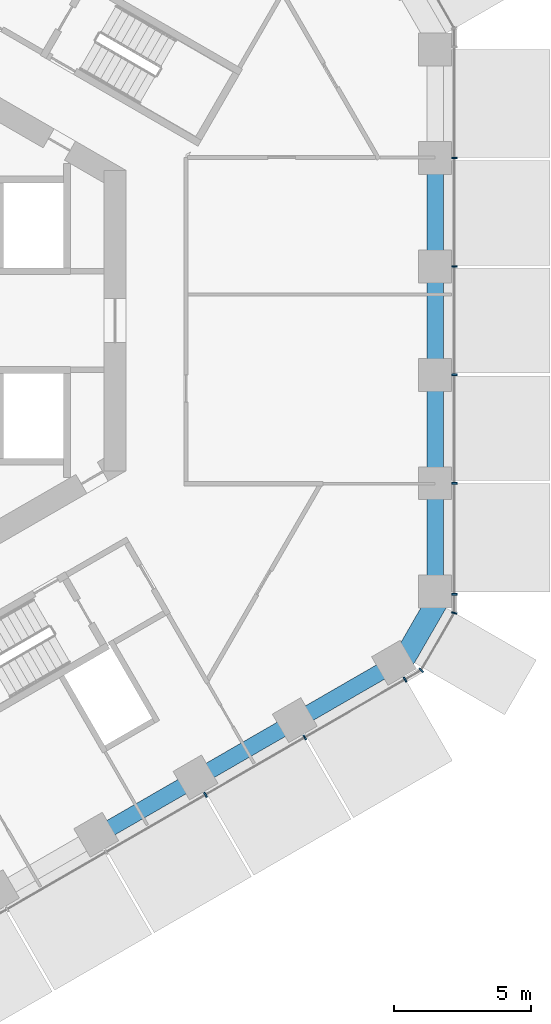
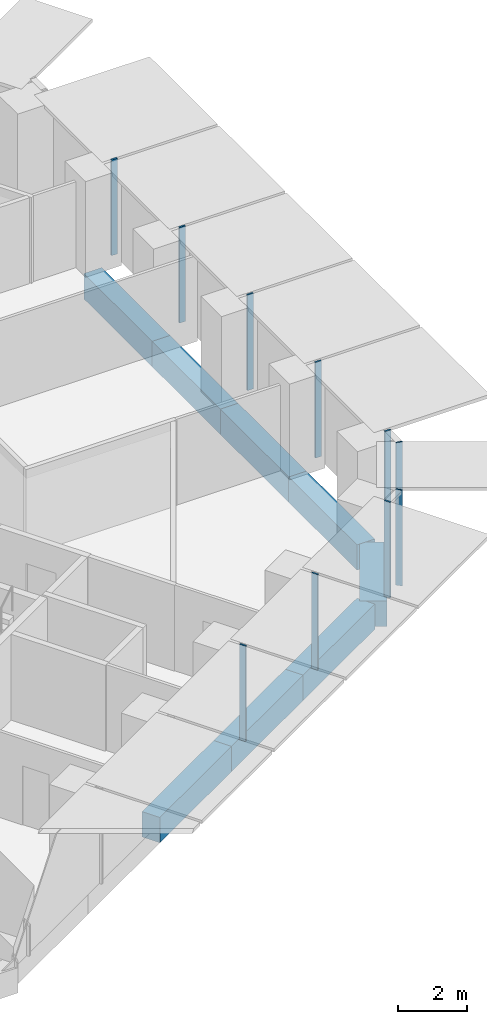
# One storey, part 4 of 19: 10 members, 8 beams, 3 elements without a shape of their own.
"""IFC4 building model written with IfcOpenShell, lengths in metres."""

from ifc_helpers import new_model, si_unit, direction, frame, origin, origin_2d, place, context, subcontext, project, spatial, rectangle, extrude, material, layer, layer_set, material_profile, profile_set, type_object, element, aggregate, save


model = new_model("IFC4")

# Units and contexts
model_context = context("Model", 3, precision=1e-05, world=origin(), true_north=direction((0.0, 1.0)))
body_context = subcontext(model_context, "Body", "Model", "MODEL_VIEW")
ifc_project = project(units=[si_unit("LENGTHUNIT", "METRE"), si_unit("AREAUNIT", "SQUARE_METRE"), si_unit("VOLUMEUNIT", "CUBIC_METRE"), si_unit("PLANEANGLEUNIT", "RADIAN"), si_unit("MASSUNIT", "GRAM", prefix="KILO")], contexts=[model_context])

# Site, building, storey
site_placement = place(None, origin())
site = spatial("IfcSite", under=ifc_project, at=site_placement, CompositionType="ELEMENT")
building_placement = place(site_placement, origin())
building = spatial("IfcBuilding", under=site, at=building_placement, Name="Ayvan Gate Tower", CompositionType="ELEMENT")
storey_placement = place(building_placement, frame((0.0, 0.0, 42.5)))
storey = spatial("IfcBuildingStorey", under=building, at=storey_placement, Name="L10", CompositionType="ELEMENT", Elevation=42.5)

# Beams
ifc_material_1 = material(Name="Concrete C40/50", Category="concrete")
ifc_material_profile_1 = material_profile(ifc_material_1, rectangle(XDim=0.800048828125, YDim=0.89990234375, at=origin_2d()), Name="RC 800x900")
ifc_profile_set_1 = profile_set([ifc_material_profile_1], Name="Concrete C40/50")
beam_type_1 = type_object("IfcBeamType", Name="Corner spandrel beam RC 800x900 C40/50", PredefinedType="BEAM", material=ifc_profile_set_1)
beam_placement = place(storey_placement, frame((19.47509765625, -12.6494140625, -0.800048828125), z_axis=(0.50002537861, 0.866010750942, 0.0), x_axis=(-0.866010750942, 0.50002537861, 0.0)))
element("IfcBeam", 1, at=beam_placement, inside=storey, type_object=beam_type_1, Name="SB-L10-36", PredefinedType="BEAM", context=body_context, shape_type="SweptSolid", body=[
    extrude(rectangle(XDim=0.800048828125, YDim=0.89990234375, at=origin_2d()), origin(), (0.0, 0.0, 1.0), 2.999755859375),
])
ifc_material_profile_2 = material_profile(ifc_material_1, rectangle(XDim=0.60009765625, YDim=0.89990234375, at=origin_2d()), Name="RC 600x900")
ifc_profile_set_2 = profile_set([ifc_material_profile_2], Name="Concrete C40/50")
beam_type_2 = type_object("IfcBeamType", Name="Spandrel beam RC 600x900 C40/50", PredefinedType="BEAM", material=ifc_profile_set_2)
for number, where, z_axis, x_axis, name in (
    (2, (20.78466796875, -9.94140625, -0.800048828125), (0.0, 1.0, 0.0), (-1.0, 0.0, 0.0), "SB-L10-1"),
    (3, (20.78466796875, -5.96484375, -0.800048828125), (0.0, 1.0, 0.0), (-1.0, 0.0, 0.0), "SB-L10-2"),
    (4, (20.78466796875, -1.98828125, -0.800048828125), (0.0, 1.0, 0.0), (-1.0, 0.0, 0.0), "SB-L10-3"),
    (5, (20.78466796875, 1.98828125, -0.800048828125), (0.0, 1.0, 0.0), (-1.0, 0.0, 0.0), "SB-L10-4"),
):
    element("IfcBeam", number, at=place(storey_placement, frame(where, z_axis=z_axis, x_axis=x_axis)), inside=storey, type_object=beam_type_2, Name=name, PredefinedType="BEAM", context=body_context, shape_type="SweptSolid", body=[
        extrude(rectangle(XDim=0.60009765625, YDim=0.89990234375, at=origin_2d()), origin(), (0.0, 0.0, 1.0), 3.9765625),
    ])
for number, where, z_axis, x_axis, name in (
    (6, (8.444091796875, -18.79833984375, -0.800048828125), (0.866009222318, 0.500028026075, 0.0), (-0.500028026075, 0.866009222318, 0.0), "SB-L10-33"),
    (7, (12.0576171875, -16.7119140625, -0.800048828125), (0.866034558547, 0.499984143151, 0.0), (-0.499984143151, 0.866034558547, 0.0), "SB-L10-34"),
    (8, (15.671142578125, -14.625732421875, -0.800048828125), (0.866034558547, 0.499984143151, 0.0), (-0.499984143151, 0.866034558547, 0.0), "SB-L10-35"),
):
    element("IfcBeam", number, at=place(storey_placement, frame(where, z_axis=z_axis, x_axis=x_axis)), inside=storey, type_object=beam_type_2, Name=name, PredefinedType="BEAM", context=body_context, shape_type="SweptSolid", body=[
        extrude(rectangle(XDim=0.60009765625, YDim=0.89990234375, at=origin_2d()), origin(), (0.0, 0.0, 1.0), 4.172607421875),
    ])

# Curtain wall, members
ifc_material_2 = material(Name="Bronze anodised aluminium", Category="aluminium")
ifc_layer_1 = layer(ifc_material_2, 0.199951171875)
ifc_layer_set_1 = layer_set([ifc_layer_1], Name="Bronze anodised aluminium")
curtain_wall_type_1 = type_object("IfcCurtainWallType", Name="Stick curtain wall CW-1", PredefinedType="NOTDEFINED", material=ifc_layer_set_1)
curtain_wall_1_placement = place(storey_placement, origin())
curtain_wall_1 = element("IfcCurtainWall", 9, at=curtain_wall_1_placement, inside=storey, type_object=curtain_wall_type_1, Name="Stick curtain wall CW-1 L10", PredefinedType="NOTDEFINED")
ifc_material_profile_3 = material_profile(ifc_material_2, rectangle(XDim=0.199951171875, YDim=0.06005859375, at=origin_2d()), Name="Stick curtain wall CW-1 mullion 200 x 60")
ifc_profile_set_3 = profile_set([ifc_material_profile_3], Name="Bronze anodised aluminium")
member_type_1 = type_object("IfcMemberType", Name="Stick curtain wall CW-1 mullion 200 x 60", PredefinedType="MULLION", material=ifc_profile_set_3)
member_1_placement = place(storey_placement, frame((12.4052734375, -17.303466796875, 0.0), z_axis=(0.0, 0.0, 1.0), x_axis=(0.5, -0.866025403784, 0.0)))
member_1 = element("IfcMember", 10, at=member_1_placement, type_object=member_type_1, Name="CW-1 mullion 4", PredefinedType="MULLION", context=body_context, shape_type="SweptSolid", body=[
    extrude(rectangle(XDim=0.199951171875, YDim=0.06005859375, at=origin_2d()), origin(), (0.0, 0.0, 1.0), 3.39990234375),
])
member_2_placement = place(storey_placement, frame((16.027099609375, -15.21240234375, 0.0), z_axis=(0.0, 0.0, 1.0), x_axis=(0.5, -0.866025403784, 0.0)))
member_2 = element("IfcMember", 11, at=member_2_placement, type_object=member_type_1, Name="CW-1 mullion 5", PredefinedType="MULLION", context=body_context, shape_type="SweptSolid", body=[
    extrude(rectangle(XDim=0.199951171875, YDim=0.06005859375, at=origin_2d()), origin(), (0.0, 0.0, 1.0), 3.39990234375),
])
member_3_placement = place(storey_placement, frame((19.6884765625, -13.0986328125, 0.0), z_axis=(0.0, 0.0, 1.0), x_axis=(0.5, -0.866025403784, 0.0)))
member_3 = element("IfcMember", 12, at=member_3_placement, type_object=member_type_1, Name="CW-1 mullion 6", PredefinedType="MULLION", context=body_context, shape_type="SweptSolid", body=[
    extrude(rectangle(XDim=0.199951171875, YDim=0.06005859375, at=origin_2d()), origin(), (0.0, 0.0, 1.0), 3.39990234375),
])
aggregate(curtain_wall_1, [member_1, member_2, member_3])

curtain_wall_2_placement = place(storey_placement, origin())
curtain_wall_2 = element("IfcCurtainWall", 13, at=curtain_wall_2_placement, inside=storey, type_object=curtain_wall_type_1, Name="Stick curtain wall CW-1 L10", PredefinedType="NOTDEFINED")
member_4_placement = place(storey_placement, frame((21.484619140625, -9.987548828125, 0.0), z_axis=(0.0, 0.0, 1.0), x_axis=(1.0, 0.0, 0.0)))
member_4 = element("IfcMember", 14, at=member_4_placement, type_object=member_type_1, Name="CW-1 mullion 1", PredefinedType="MULLION", context=body_context, shape_type="SweptSolid", body=[
    extrude(rectangle(XDim=0.199951171875, YDim=0.06005859375, at=origin_2d()), origin(), (0.0, 0.0, 1.0), 3.39990234375),
])
member_5_placement = place(storey_placement, frame((21.484619140625, -5.9345703125, 0.0), z_axis=(0.0, 0.0, 1.0), x_axis=(1.0, 0.0, 0.0)))
member_5 = element("IfcMember", 15, at=member_5_placement, type_object=member_type_1, Name="CW-1 mullion 2", PredefinedType="MULLION", context=body_context, shape_type="SweptSolid", body=[
    extrude(rectangle(XDim=0.199951171875, YDim=0.06005859375, at=origin_2d()), origin(), (0.0, 0.0, 1.0), 3.39990234375),
])
member_6_placement = place(storey_placement, frame((21.484619140625, -1.978515625, 0.0), z_axis=(0.0, 0.0, 1.0), x_axis=(1.0, 0.0, 0.0)))
member_6 = element("IfcMember", 16, at=member_6_placement, type_object=member_type_1, Name="CW-1 mullion 3", PredefinedType="MULLION", context=body_context, shape_type="SweptSolid", body=[
    extrude(rectangle(XDim=0.199951171875, YDim=0.06005859375, at=origin_2d()), origin(), (0.0, 0.0, 1.0), 3.39990234375),
])
member_7_placement = place(storey_placement, frame((21.484619140625, 1.978515625, 0.0), z_axis=(0.0, 0.0, 1.0), x_axis=(1.0, 0.0, 0.0)))
member_7 = element("IfcMember", 17, at=member_7_placement, type_object=member_type_1, Name="CW-1 mullion 4", PredefinedType="MULLION", context=body_context, shape_type="SweptSolid", body=[
    extrude(rectangle(XDim=0.199951171875, YDim=0.06005859375, at=origin_2d()), origin(), (0.0, 0.0, 1.0), 3.39990234375),
])
member_8_placement = place(storey_placement, frame((21.484619140625, 5.9345703125, 0.0), z_axis=(0.0, 0.0, 1.0), x_axis=(1.0, 0.0, 0.0)))
member_8 = element("IfcMember", 18, at=member_8_placement, type_object=member_type_1, Name="CW-1 mullion 5", PredefinedType="MULLION", context=body_context, shape_type="SweptSolid", body=[
    extrude(rectangle(XDim=0.199951171875, YDim=0.06005859375, at=origin_2d()), origin(), (0.0, 0.0, 1.0), 3.39990234375),
])
aggregate(curtain_wall_2, [member_4, member_5, member_6, member_7, member_8])

ifc_layer_2 = layer(ifc_material_2, 0.199951171875)
ifc_layer_set_2 = layer_set([ifc_layer_2], Name="Bronze anodised aluminium")
curtain_wall_type_2 = type_object("IfcCurtainWallType", Name="Stick curtain wall CW-6", PredefinedType="NOTDEFINED", material=ifc_layer_set_2)
curtain_wall_3_placement = place(storey_placement, origin())
curtain_wall_3 = element("IfcCurtainWall", 19, at=curtain_wall_3_placement, inside=storey, type_object=curtain_wall_type_2, Name="Stick curtain wall CW-6 L10", PredefinedType="NOTDEFINED")
ifc_material_profile_4 = material_profile(ifc_material_2, rectangle(XDim=0.199951171875, YDim=0.050048828125, at=origin_2d()), Name="Stick curtain wall CW-6 mullion 200 x 50")
ifc_profile_set_4 = profile_set([ifc_material_profile_4], Name="Bronze anodised aluminium")
member_type_2 = type_object("IfcMemberType", Name="Stick curtain wall CW-6 mullion 200 x 50", PredefinedType="MULLION", material=ifc_profile_set_4)
member_9_placement = place(storey_placement, frame((20.27734375, -12.758544921875, 0.0), z_axis=(0.0, 0.0, 1.0), x_axis=(0.707106781187, -0.707106781187, 0.0)))
member_9 = element("IfcMember", 20, at=member_9_placement, type_object=member_type_2, Name="CW-6 mullion 2", PredefinedType="MULLION", context=body_context, shape_type="SweptSolid", body=[
    extrude(rectangle(XDim=0.199951171875, YDim=0.050048828125, at=origin_2d()), origin(), (0.0, 0.0, 1.0), 3.39990234375),
])
member_10_placement = place(storey_placement, frame((21.484619140625, -10.66748046875, 0.0), z_axis=(0.0, 0.0, 1.0), x_axis=(0.965925826289, -0.258819045103, 0.0)))
member_10 = element("IfcMember", 21, at=member_10_placement, type_object=member_type_2, Name="CW-6 mullion 3", PredefinedType="MULLION", context=body_context, shape_type="SweptSolid", body=[
    extrude(rectangle(XDim=0.199951171875, YDim=0.050048828125, at=origin_2d()), origin(), (0.0, 0.0, 1.0), 3.39990234375),
])
aggregate(curtain_wall_3, [member_9, member_10])

save(model, "model.ifc")
